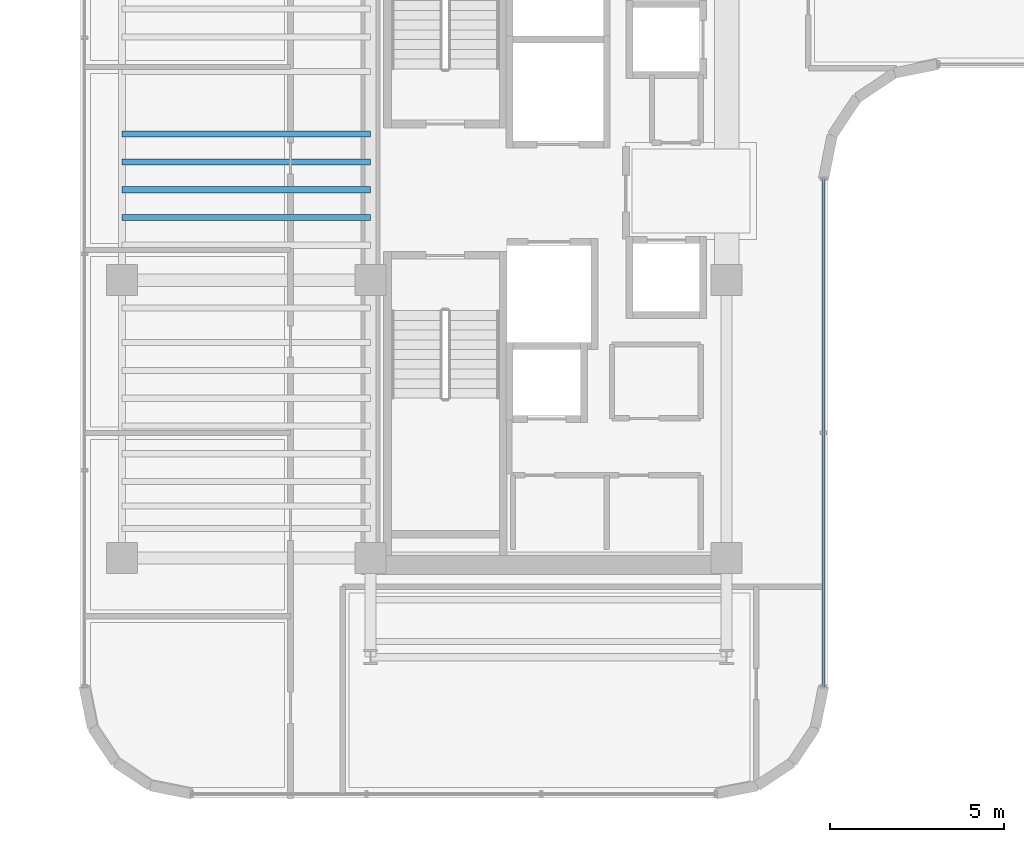
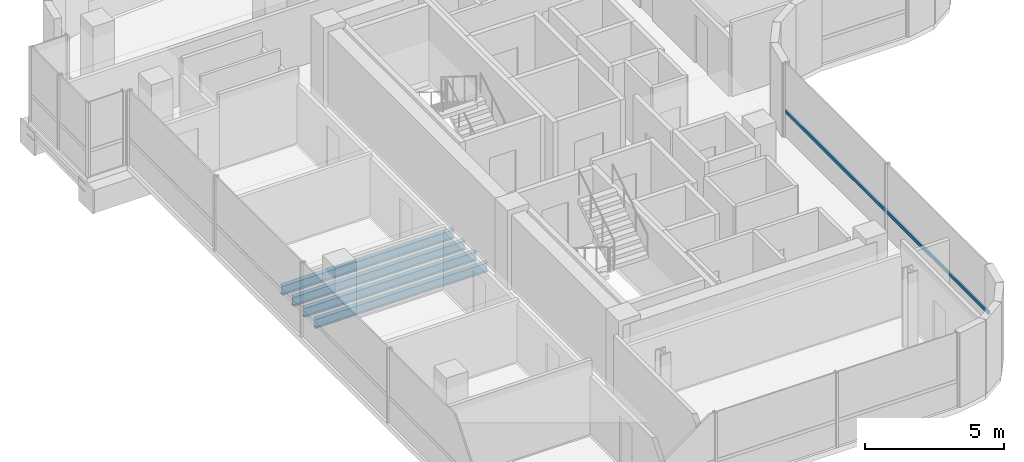
# One storey, part 7 of 21: 4 beams, 1 member, 1 element without a shape of its own.
"""IFC4 building model written with IfcOpenShell, lengths in metres."""

from ifc_helpers import new_model, si_unit, direction, frame, origin, origin_2d, place, context, subcontext, project, spatial, hollow_rectangle, i_section, extrude, source, transform, mapped, material, material_profile, profile_set, type_object, element, aggregate, save


model = new_model("IFC4")

# Units and contexts
model_context = context("Model", 3, precision=1e-05, world=origin(), true_north=direction((0.0, 1.0)))
body_context = subcontext(model_context, "Body", "Model", "MODEL_VIEW")
ifc_project = project(units=[si_unit("LENGTHUNIT", "METRE"), si_unit("AREAUNIT", "SQUARE_METRE"), si_unit("VOLUMEUNIT", "CUBIC_METRE"), si_unit("PLANEANGLEUNIT", "RADIAN"), si_unit("MASSUNIT", "GRAM", prefix="KILO")], contexts=[model_context])

# Site, building, storey
site_placement = place(None, origin())
site = spatial("IfcSite", under=ifc_project, at=site_placement, CompositionType="ELEMENT")
building_placement = place(site_placement, origin())
building = spatial("IfcBuilding", under=site, at=building_placement, Name="Valdorenza Pilgrim Sanctuary Tower", CompositionType="ELEMENT")
storey_placement = place(building_placement, frame((0.0, 0.0, 223.0)))
storey = spatial("IfcBuildingStorey", under=building, at=storey_placement, Name="L57", CompositionType="ELEMENT", Elevation=223.0)

# Beams
ifc_material_1 = material(Name="Steel ASTM A992 Grade 50", Category="steel")
ifc_material_profile_1 = material_profile(ifc_material_1, i_section(OverallWidth=0.177978515625, OverallDepth=0.406005859375, WebThickness=0.0078125, FlangeThickness=0.0126953125, at=origin_2d()), Name="W16X40")
ifc_profile_set_1 = profile_set([ifc_material_profile_1], Name="Steel ASTM A992 Grade 50")
beam_type = type_object("IfcBeamType", Name="STR-BM-JST-W16", PredefinedType="JOIST", material=ifc_profile_set_1)
shared_shape_1 = source(origin(), body_context, "Body", "SweptSolid", [
    extrude(i_section(OverallWidth=0.177978515625, OverallDepth=0.406005859375, WebThickness=0.0078125, FlangeThickness=0.0126953125, at=origin_2d()), origin(), (0.0, 0.0, 1.0), 7.150146484375),
])
for number, where, z_axis, x_axis, name in (
    (1, (-29.800048828125, -0.800048828125, -0.443115234375), (1.0, 0.0, 0.0), (0.0, 1.0, 0.0), "L57 Composite Floor Joist JST-WA-11"),
    (2, (-29.800048828125, 0.0, -0.443115234375), (1.0, 0.0, 0.0), (0.0, 1.0, 0.0), "L57 Composite Floor Joist JST-WA-12"),
    (3, (-29.800048828125, 0.800048828125, -0.443115234375), (1.0, 0.0, 0.0), (0.0, 1.0, 0.0), "L57 Composite Floor Joist JST-WA-13"),
    (4, (-29.800048828125, 1.60009765625, -0.443115234375), (1.0, 0.0, 0.0), (0.0, 1.0, 0.0), "L57 Composite Floor Joist JST-WA-14"),
):
    element("IfcBeam", number, at=place(storey_placement, frame(where, z_axis=z_axis, x_axis=x_axis)), inside=storey, type_object=beam_type, Name=name, PredefinedType="JOIST", context=body_context, shape_type="MappedRepresentation", body=[
        mapped(shared_shape_1, transform((0.0, 0.0, 0.0), x_axis=(1.0, 0.0, 0.0), y_axis=(0.0, 1.0, 0.0), z_axis=(0.0, 0.0, 1.0), scale=1.0)),
    ])

# Curtain wall, member
ifc_material_2 = material(Name="Curtain-wall IGU glazing", Category="glass")
curtain_wall_type = type_object("IfcCurtainWallType", Name="CW-SYS-02", PredefinedType="NOTDEFINED", material=ifc_material_2)
curtain_wall_placement = place(storey_placement, origin())
curtain_wall = element("IfcCurtainWall", 5, at=curtain_wall_placement, inside=storey, type_object=curtain_wall_type, Name="L57 Curtain Wall CW-L57-1-21", PredefinedType="NOTDEFINED")
ifc_material_3 = material(Name="Anodised aluminium AW-6060", Category="aluminium")
ifc_material_profile_2 = material_profile(ifc_material_3, hollow_rectangle(XDim=0.074951171875, YDim=0.14990234375, WallThickness=0.00390625, at=origin_2d()), Name="ALU-T 150x75x4")
ifc_profile_set_2 = profile_set([ifc_material_profile_2], Name="Anodised aluminium AW-6060")
member_type = type_object("IfcMemberType", Name="CW-TRN-02", PredefinedType="USERDEFINED", material=ifc_profile_set_2)
shared_shape_2 = source(origin(), body_context, "Body", "SweptSolid", [
    extrude(hollow_rectangle(XDim=0.074951171875, YDim=0.14990234375, WallThickness=0.00390625, at=origin_2d()), origin(), (0.0, 0.0, 1.0), 14.60009765625),
])
member_placement = place(storey_placement, frame((-9.610107421875, 0.310791015625, 1.1201171875), z_axis=(0.0, -1.0, 0.0), x_axis=(1.0, 0.0, 0.0)))
member = element("IfcMember", 6, at=member_placement, type_object=member_type, Name="CW-L57-1-21 Transom 1", ObjectType="TRANSOM", PredefinedType="USERDEFINED", context=body_context, shape_type="MappedRepresentation", body=[
    mapped(shared_shape_2, transform((0.0, 0.0, 0.0), x_axis=(1.0, 0.0, 0.0), y_axis=(0.0, 1.0, 0.0), z_axis=(0.0, 0.0, 1.0), scale=1.0)),
])
aggregate(curtain_wall, [member])

save(model, "model.ifc")
